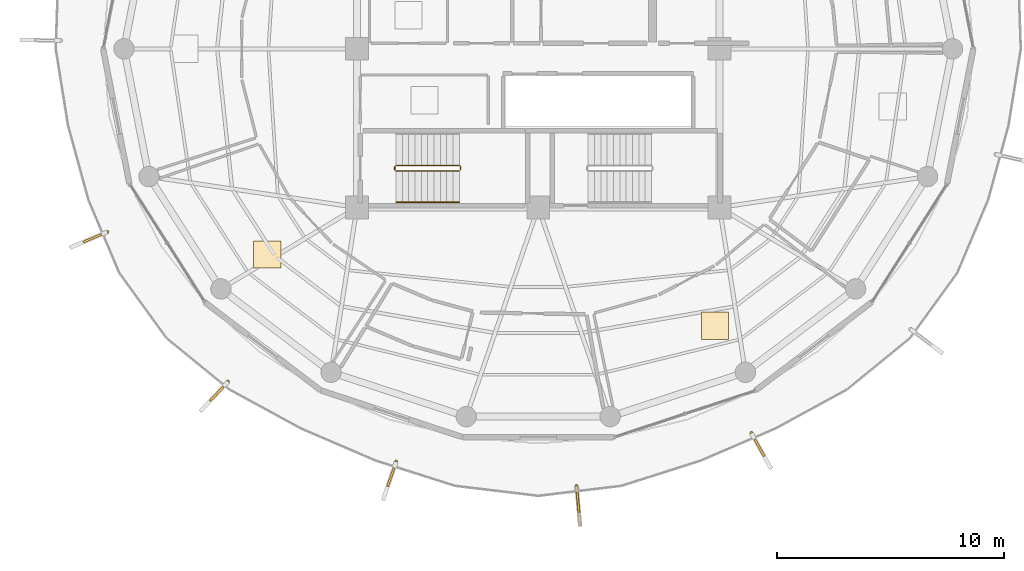
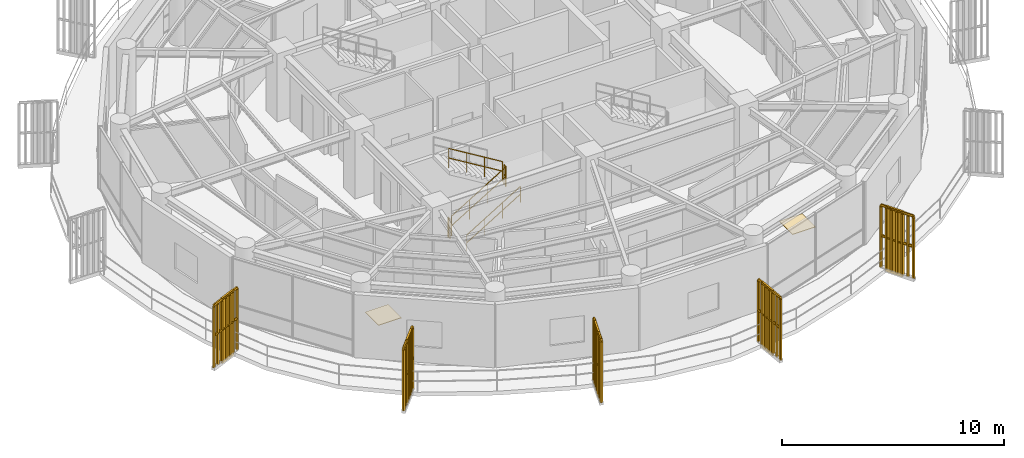
# One storey, part 21 of 24: 10 railings, 5 shading devices, 2 coverings.
"""IFC4 building model written with IfcOpenShell, lengths in metres."""

from ifc_helpers import new_model, si_unit, direction, frame, origin, origin_2d, place, context, subcontext, project, spatial, polyline, rectangle, outline, extrude, source, transform, mapped, material, layer, layer_set, type_object, element, save


model = new_model("IFC4")

# Units and contexts
model_context = context("Model", 3, precision=1e-05, world=origin(), true_north=direction((0.0, 1.0)))
body_context = subcontext(model_context, "Body", "Model", "MODEL_VIEW")
ifc_project = project(units=[si_unit("LENGTHUNIT", "METRE"), si_unit("AREAUNIT", "SQUARE_METRE"), si_unit("VOLUMEUNIT", "CUBIC_METRE"), si_unit("PLANEANGLEUNIT", "RADIAN"), si_unit("MASSUNIT", "GRAM", prefix="KILO")], contexts=[model_context])

# Site, building, storey
site_placement = place(None, origin())
site = spatial("IfcSite", under=ifc_project, at=site_placement, CompositionType="ELEMENT")
building_placement = place(site_placement, origin())
building = spatial("IfcBuilding", under=site, at=building_placement, Name="Kelanora Arch Commons", CompositionType="ELEMENT")
storey_placement = place(building_placement, frame((0.0, 0.0, 248.699951171875)))
storey = spatial("IfcBuildingStorey", under=building, at=storey_placement, Name="L63", CompositionType="ELEMENT", Elevation=248.699951171875)

# Railings
ifc_material_1 = material(Name="Anodised bronze vertical shading fin rib assembly")
railing_type_1 = type_object("IfcRailingType", Name="RAIL-FIN-BRZ", PredefinedType="BALUSTRADE", material=ifc_material_1)
railing_1_placement = place(storey_placement, frame((54.9873046875, 49.923583984375, -0.02001953125)))
element("IfcRailing", 1, at=railing_1_placement, inside=storey, type_object=railing_type_1, Name="Sweeping Bronze Vertical Fin Blade L63-10", PredefinedType="BALUSTRADE", context=body_context, shape_type="SweptSolid", body=[
    extrude(outline(polyline([(0.06982421875, 0.0), (0.034912109375, 0.060546875), (-0.034912109375, 0.060546875), (-0.06982421875, 0.0), (-0.034912109375, -0.060546875), (0.034912109375, -0.060546875), (0.06982421875, 0.0)])), frame((0.0, 0.0, 3.419921875), z_axis=(-0.920424876391, -0.390919489053, 0.0), x_axis=(0.390919489053, -0.920424876391, 0.0)), (0.0, 0.0, 1.0), 1.72998046875),
    extrude(outline(polyline([(0.06982421875, 0.0), (0.034912109375, 0.060546875), (-0.034912109375, 0.060546875), (-0.06982421875, 0.0), (-0.034912109375, -0.060546875), (0.034912109375, -0.060546875), (0.06982421875, 0.0)])), frame((0.0, 0.0, 1.7451171875), z_axis=(-0.920424876391, -0.390919489053, 0.0), x_axis=(0.390919489053, -0.920424876391, 0.0)), (0.0, 0.0, 1.0), 1.72998046875),
    extrude(outline(polyline([(0.080078125, 0.0), (0.0400390625, 0.0693359375), (-0.0400390625, 0.0693359375), (-0.080078125, 0.0), (-0.0400390625, -0.0693359375), (0.0400390625, -0.0693359375), (0.080078125, 0.0)])), origin(), (0.0, 0.0, 1.0), 3.35009765625),
    extrude(outline(polyline([(0.080078125, 0.0), (0.0400390625, 0.0693359375), (-0.0400390625, 0.0693359375), (-0.080078125, 0.0), (-0.0400390625, -0.0693359375), (0.0400390625, -0.0693359375), (0.080078125, 0.0)])), frame((-0.265380859375, -0.11279296875, 0.0)), (0.0, 0.0, 1.0), 3.35009765625),
    extrude(outline(polyline([(0.080078125, 0.0), (0.0400390625, 0.0693359375), (-0.0400390625, 0.0693359375), (-0.080078125, 0.0), (-0.0400390625, -0.0693359375), (0.0400390625, -0.0693359375), (0.080078125, 0.0)])), frame((-0.53076171875, -0.225341796875, 0.0)), (0.0, 0.0, 1.0), 3.35009765625),
    extrude(outline(polyline([(0.080078125, 0.0), (0.0400390625, 0.0693359375), (-0.0400390625, 0.0693359375), (-0.080078125, 0.0), (-0.0400390625, -0.0693359375), (0.0400390625, -0.0693359375), (0.080078125, 0.0)])), frame((-0.796142578125, -0.338134765625, 0.0)), (0.0, 0.0, 1.0), 3.35009765625),
    extrude(outline(polyline([(0.080078125, 0.0), (0.0400390625, 0.0693359375), (-0.0400390625, 0.0693359375), (-0.080078125, 0.0), (-0.0400390625, -0.0693359375), (0.0400390625, -0.0693359375), (0.080078125, 0.0)])), frame((-1.0615234375, -0.450927734375, 0.0)), (0.0, 0.0, 1.0), 3.35009765625),
    extrude(outline(polyline([(0.080078125, 0.0), (0.0400390625, 0.0693359375), (-0.0400390625, 0.0693359375), (-0.080078125, 0.0), (-0.0400390625, -0.0693359375), (0.0400390625, -0.0693359375), (0.080078125, 0.0)])), frame((-1.326904296875, -0.5634765625, 0.0)), (0.0, 0.0, 1.0), 3.35009765625),
    extrude(outline(polyline([(0.080078125, 0.0), (0.0400390625, 0.0693359375), (-0.0400390625, 0.0693359375), (-0.080078125, 0.0), (-0.0400390625, -0.0693359375), (0.0400390625, -0.0693359375), (0.080078125, 0.0)])), frame((-1.59228515625, -0.67626953125, 0.0)), (0.0, 0.0, 1.0), 3.35009765625),
])
railing_2_placement = place(storey_placement, frame((60.3076171875, 43.30908203125, -0.02001953125)))
element("IfcRailing", 2, at=railing_2_placement, inside=storey, type_object=railing_type_1, Name="Sweeping Bronze Vertical Fin Blade L63-11", PredefinedType="BALUSTRADE", context=body_context, shape_type="SweptSolid", body=[
    extrude(outline(polyline([(0.06982421875, 0.0), (0.034912109375, 0.060546875), (-0.034912109375, 0.060546875), (-0.06982421875, 0.0), (-0.034912109375, -0.060546875), (0.034912109375, -0.060546875), (0.06982421875, 0.0)])), frame((0.0, 0.0, 3.419921875), z_axis=(-0.681835450836, -0.731505583016, 0.0), x_axis=(0.731505583016, -0.681835450836, 0.0)), (0.0, 0.0, 1.0), 1.730224609375),
    extrude(outline(polyline([(0.06982421875, 0.0), (0.034912109375, 0.060546875), (-0.034912109375, 0.060546875), (-0.06982421875, 0.0), (-0.034912109375, -0.060546875), (0.034912109375, -0.060546875), (0.06982421875, 0.0)])), frame((0.0, 0.0, 1.7451171875), z_axis=(-0.681835450836, -0.731505583016, 0.0), x_axis=(0.731505583016, -0.681835450836, 0.0)), (0.0, 0.0, 1.0), 1.730224609375),
    extrude(outline(polyline([(0.080078125, 0.0), (0.0400390625, 0.0693359375), (-0.0400390625, 0.0693359375), (-0.080078125, 0.0), (-0.0400390625, -0.0693359375), (0.0400390625, -0.0693359375), (0.080078125, 0.0)])), origin(), (0.0, 0.0, 1.0), 3.35009765625),
    extrude(outline(polyline([(0.080078125, 0.0), (0.0400390625, 0.0693359375), (-0.0400390625, 0.0693359375), (-0.080078125, 0.0), (-0.0400390625, -0.0693359375), (0.0400390625, -0.0693359375), (0.080078125, 0.0)])), frame((-0.196533203125, -0.2109375, 0.0)), (0.0, 0.0, 1.0), 3.35009765625),
    extrude(outline(polyline([(0.080078125, 0.0), (0.0400390625, 0.0693359375), (-0.0400390625, 0.0693359375), (-0.080078125, 0.0), (-0.0400390625, -0.0693359375), (0.0400390625, -0.0693359375), (0.080078125, 0.0)])), frame((-0.393310546875, -0.421875, 0.0)), (0.0, 0.0, 1.0), 3.35009765625),
    extrude(outline(polyline([(0.080078125, 0.0), (0.0400390625, 0.0693359375), (-0.0400390625, 0.0693359375), (-0.080078125, 0.0), (-0.0400390625, -0.0693359375), (0.0400390625, -0.0693359375), (0.080078125, 0.0)])), frame((-0.58984375, -0.6328125, 0.0)), (0.0, 0.0, 1.0), 3.35009765625),
    extrude(outline(polyline([(0.080078125, 0.0), (0.0400390625, 0.0693359375), (-0.0400390625, 0.0693359375), (-0.080078125, 0.0), (-0.0400390625, -0.0693359375), (0.0400390625, -0.0693359375), (0.080078125, 0.0)])), frame((-0.786376953125, -0.84375, 0.0)), (0.0, 0.0, 1.0), 3.35009765625),
    extrude(outline(polyline([(0.080078125, 0.0), (0.0400390625, 0.0693359375), (-0.0400390625, 0.0693359375), (-0.080078125, 0.0), (-0.0400390625, -0.0693359375), (0.0400390625, -0.0693359375), (0.080078125, 0.0)])), frame((-0.983154296875, -1.0546875, 0.0)), (0.0, 0.0, 1.0), 3.35009765625),
    extrude(outline(polyline([(0.080078125, 0.0), (0.0400390625, 0.0693359375), (-0.0400390625, 0.0693359375), (-0.080078125, 0.0), (-0.0400390625, -0.0693359375), (0.0400390625, -0.0693359375), (0.080078125, 0.0)])), frame((-1.1796875, -1.265625, 0.0)), (0.0, 0.0, 1.0), 3.35009765625),
])
railing_3_placement = place(storey_placement, frame((67.73095703125, 39.777587890625, -0.02001953125)))
element("IfcRailing", 3, at=railing_3_placement, inside=storey, type_object=railing_type_1, Name="Sweeping Bronze Vertical Fin Blade L63-12", PredefinedType="BALUSTRADE", context=body_context, shape_type="SweptSolid", body=[
    extrude(outline(polyline([(0.06982421875, 0.0), (0.034912109375, 0.060546875), (-0.034912109375, 0.060546875), (-0.06982421875, 0.0), (-0.034912109375, -0.060546875), (0.034912109375, -0.060546875), (0.06982421875, 0.0)])), frame((0.0, 0.0, 3.419921875), z_axis=(-0.325316421568, -0.945605216704, 0.0), x_axis=(0.945605216704, -0.325316421568, 0.0)), (0.0, 0.0, 1.0), 1.729736328125),
    extrude(outline(polyline([(0.06982421875, 0.0), (0.034912109375, 0.060546875), (-0.034912109375, 0.060546875), (-0.06982421875, 0.0), (-0.034912109375, -0.060546875), (0.034912109375, -0.060546875), (0.06982421875, 0.0)])), frame((0.0, 0.0, 1.7451171875), z_axis=(-0.325316421568, -0.945605216704, 0.0), x_axis=(0.945605216704, -0.325316421568, 0.0)), (0.0, 0.0, 1.0), 1.729736328125),
    extrude(outline(polyline([(0.080078125, 0.0), (0.0400390625, 0.0693359375), (-0.0400390625, 0.0693359375), (-0.080078125, 0.0), (-0.0400390625, -0.0693359375), (0.0400390625, -0.0693359375), (0.080078125, 0.0)])), origin(), (0.0, 0.0, 1.0), 3.35009765625),
    extrude(outline(polyline([(0.080078125, 0.0), (0.0400390625, 0.0693359375), (-0.0400390625, 0.0693359375), (-0.080078125, 0.0), (-0.0400390625, -0.0693359375), (0.0400390625, -0.0693359375), (0.080078125, 0.0)])), frame((-0.09375, -0.272705078125, 0.0)), (0.0, 0.0, 1.0), 3.35009765625),
    extrude(outline(polyline([(0.080078125, 0.0), (0.0400390625, 0.0693359375), (-0.0400390625, 0.0693359375), (-0.080078125, 0.0), (-0.0400390625, -0.0693359375), (0.0400390625, -0.0693359375), (0.080078125, 0.0)])), frame((-0.1875, -0.545166015625, 0.0)), (0.0, 0.0, 1.0), 3.35009765625),
    extrude(outline(polyline([(0.080078125, 0.0), (0.0400390625, 0.0693359375), (-0.0400390625, 0.0693359375), (-0.080078125, 0.0), (-0.0400390625, -0.0693359375), (0.0400390625, -0.0693359375), (0.080078125, 0.0)])), frame((-0.28125, -0.81787109375, 0.0)), (0.0, 0.0, 1.0), 3.35009765625),
    extrude(outline(polyline([(0.080078125, 0.0), (0.0400390625, 0.0693359375), (-0.0400390625, 0.0693359375), (-0.080078125, 0.0), (-0.0400390625, -0.0693359375), (0.0400390625, -0.0693359375), (0.080078125, 0.0)])), frame((-0.375244140625, -1.090576171875, 0.0)), (0.0, 0.0, 1.0), 3.35009765625),
    extrude(outline(polyline([(0.080078125, 0.0), (0.0400390625, 0.0693359375), (-0.0400390625, 0.0693359375), (-0.080078125, 0.0), (-0.0400390625, -0.0693359375), (0.0400390625, -0.0693359375), (0.080078125, 0.0)])), frame((-0.468994140625, -1.363037109375, 0.0)), (0.0, 0.0, 1.0), 3.35009765625),
    extrude(outline(polyline([(0.080078125, 0.0), (0.0400390625, 0.0693359375), (-0.0400390625, 0.0693359375), (-0.080078125, 0.0), (-0.0400390625, -0.0693359375), (0.0400390625, -0.0693359375), (0.080078125, 0.0)])), frame((-0.562744140625, -1.6357421875, 0.0)), (0.0, 0.0, 1.0), 3.35009765625),
])
railing_4_placement = place(storey_placement, frame((75.693115234375, 38.705810546875, -0.02001953125)))
element("IfcRailing", 4, at=railing_4_placement, inside=storey, type_object=railing_type_1, Name="Sweeping Bronze Vertical Fin Blade L63-13", PredefinedType="BALUSTRADE", context=body_context, shape_type="SweptSolid", body=[
    extrude(outline(polyline([(0.06982421875, 0.0), (0.034912109375, 0.060546875), (-0.034912109375, 0.060546875), (-0.06982421875, 0.0), (-0.034912109375, -0.060546875), (0.034912109375, -0.060546875), (0.06982421875, 0.0)])), frame((0.0, 0.0, 3.419921875), z_axis=(0.087494306864, -0.996165019596, 0.0), x_axis=(0.996165019596, 0.087494306864, 0.0)), (0.0, 0.0, 1.0), 1.72998046875),
    extrude(outline(polyline([(0.06982421875, 0.0), (0.034912109375, 0.060546875), (-0.034912109375, 0.060546875), (-0.06982421875, 0.0), (-0.034912109375, -0.060546875), (0.034912109375, -0.060546875), (0.06982421875, 0.0)])), frame((0.0, 0.0, 1.7451171875), z_axis=(0.087494306864, -0.996165019596, 0.0), x_axis=(0.996165019596, 0.087494306864, 0.0)), (0.0, 0.0, 1.0), 1.72998046875),
    extrude(outline(polyline([(0.080078125, 0.0), (0.0400390625, 0.0693359375), (-0.0400390625, 0.0693359375), (-0.080078125, 0.0), (-0.0400390625, -0.0693359375), (0.0400390625, -0.0693359375), (0.080078125, 0.0)])), origin(), (0.0, 0.0, 1.0), 3.35009765625),
    extrude(outline(polyline([(0.080078125, 0.0), (0.0400390625, 0.0693359375), (-0.0400390625, 0.0693359375), (-0.080078125, 0.0), (-0.0400390625, -0.0693359375), (0.0400390625, -0.0693359375), (0.080078125, 0.0)])), frame((0.025146484375, -0.287109375, 0.0)), (0.0, 0.0, 1.0), 3.35009765625),
    extrude(outline(polyline([(0.080078125, 0.0), (0.0400390625, 0.0693359375), (-0.0400390625, 0.0693359375), (-0.080078125, 0.0), (-0.0400390625, -0.0693359375), (0.0400390625, -0.0693359375), (0.080078125, 0.0)])), frame((0.050537109375, -0.574462890625, 0.0)), (0.0, 0.0, 1.0), 3.35009765625),
    extrude(outline(polyline([(0.080078125, 0.0), (0.0400390625, 0.0693359375), (-0.0400390625, 0.0693359375), (-0.080078125, 0.0), (-0.0400390625, -0.0693359375), (0.0400390625, -0.0693359375), (0.080078125, 0.0)])), frame((0.07568359375, -0.86181640625, 0.0)), (0.0, 0.0, 1.0), 3.35009765625),
    extrude(outline(polyline([(0.080078125, 0.0), (0.0400390625, 0.0693359375), (-0.0400390625, 0.0693359375), (-0.080078125, 0.0), (-0.0400390625, -0.0693359375), (0.0400390625, -0.0693359375), (0.080078125, 0.0)])), frame((0.100830078125, -1.14892578125, 0.0)), (0.0, 0.0, 1.0), 3.35009765625),
    extrude(outline(polyline([(0.080078125, 0.0), (0.0400390625, 0.0693359375), (-0.0400390625, 0.0693359375), (-0.080078125, 0.0), (-0.0400390625, -0.0693359375), (0.0400390625, -0.0693359375), (0.080078125, 0.0)])), frame((0.126220703125, -1.43603515625, 0.0)), (0.0, 0.0, 1.0), 3.35009765625),
    extrude(outline(polyline([(0.080078125, 0.0), (0.0400390625, 0.0693359375), (-0.0400390625, 0.0693359375), (-0.080078125, 0.0), (-0.0400390625, -0.0693359375), (0.0400390625, -0.0693359375), (0.080078125, 0.0)])), frame((0.1513671875, -1.723388671875, 0.0)), (0.0, 0.0, 1.0), 3.35009765625),
])
railing_5_placement = place(storey_placement, frame((83.40966796875, 41.034912109375, -0.02001953125)))
element("IfcRailing", 5, at=railing_5_placement, inside=storey, type_object=railing_type_1, Name="Sweeping Bronze Vertical Fin Blade L63-14", PredefinedType="BALUSTRADE", context=body_context, shape_type="SweptSolid", body=[
    extrude(outline(polyline([(0.06982421875, 0.0), (0.034912109375, 0.060546875), (-0.034912109375, 0.060546875), (-0.06982421875, 0.0), (-0.034912109375, -0.060546875), (0.034912109375, -0.060546875), (0.06982421875, 0.0)])), frame((0.0, 0.0, 3.419921875), z_axis=(0.485079623437, -0.874469987436, 0.0), x_axis=(0.874469987436, 0.485079623437, 0.0)), (0.0, 0.0, 1.0), 1.729736328125),
    extrude(outline(polyline([(0.06982421875, 0.0), (0.034912109375, 0.060546875), (-0.034912109375, 0.060546875), (-0.06982421875, 0.0), (-0.034912109375, -0.060546875), (0.034912109375, -0.060546875), (0.06982421875, 0.0)])), frame((0.0, 0.0, 1.7451171875), z_axis=(0.485079623437, -0.874469987436, 0.0), x_axis=(0.874469987436, 0.485079623437, 0.0)), (0.0, 0.0, 1.0), 1.729736328125),
    extrude(outline(polyline([(0.080078125, 0.0), (0.0400390625, 0.0693359375), (-0.0400390625, 0.0693359375), (-0.080078125, 0.0), (-0.0400390625, -0.0693359375), (0.0400390625, -0.0693359375), (0.080078125, 0.0)])), origin(), (0.0, 0.0, 1.0), 3.35009765625),
    extrude(outline(polyline([(0.080078125, 0.0), (0.0400390625, 0.0693359375), (-0.0400390625, 0.0693359375), (-0.080078125, 0.0), (-0.0400390625, -0.0693359375), (0.0400390625, -0.0693359375), (0.080078125, 0.0)])), frame((0.139892578125, -0.252197265625, 0.0)), (0.0, 0.0, 1.0), 3.35009765625),
    extrude(outline(polyline([(0.080078125, 0.0), (0.0400390625, 0.0693359375), (-0.0400390625, 0.0693359375), (-0.080078125, 0.0), (-0.0400390625, -0.0693359375), (0.0400390625, -0.0693359375), (0.080078125, 0.0)])), frame((0.27978515625, -0.504150390625, 0.0)), (0.0, 0.0, 1.0), 3.35009765625),
    extrude(outline(polyline([(0.080078125, 0.0), (0.0400390625, 0.0693359375), (-0.0400390625, 0.0693359375), (-0.080078125, 0.0), (-0.0400390625, -0.0693359375), (0.0400390625, -0.0693359375), (0.080078125, 0.0)])), frame((0.41943359375, -0.75634765625, 0.0)), (0.0, 0.0, 1.0), 3.35009765625),
    extrude(outline(polyline([(0.080078125, 0.0), (0.0400390625, 0.0693359375), (-0.0400390625, 0.0693359375), (-0.080078125, 0.0), (-0.0400390625, -0.0693359375), (0.0400390625, -0.0693359375), (0.080078125, 0.0)])), frame((0.559326171875, -1.008544921875, 0.0)), (0.0, 0.0, 1.0), 3.35009765625),
    extrude(outline(polyline([(0.080078125, 0.0), (0.0400390625, 0.0693359375), (-0.0400390625, 0.0693359375), (-0.080078125, 0.0), (-0.0400390625, -0.0693359375), (0.0400390625, -0.0693359375), (0.080078125, 0.0)])), frame((0.69921875, -1.260498046875, 0.0)), (0.0, 0.0, 1.0), 3.35009765625),
    extrude(outline(polyline([(0.080078125, 0.0), (0.0400390625, 0.0693359375), (-0.0400390625, 0.0693359375), (-0.080078125, 0.0), (-0.0400390625, -0.0693359375), (0.0400390625, -0.0693359375), (0.080078125, 0.0)])), frame((0.839111328125, -1.5126953125, 0.0)), (0.0, 0.0, 1.0), 3.35009765625),
])
ifc_material_2 = material(Name="Painted steel stair well guard", Category="steel")
railing_type_2 = type_object("IfcRailingType", Name="RAIL-STAIR-GRD", PredefinedType="GUARDRAIL", material=ifc_material_2)
railing_6_placement = place(storey_placement, frame((67.719970703125, 52.610107421875, 0.17041015625)))
element("IfcRailing", 6, at=railing_6_placement, inside=storey, type_object=railing_type_2, Name="L63 ST-T3 stair guard 1", PredefinedType="GUARDRAIL", context=body_context, shape_type="SweptSolid", body=[
    extrude(outline(polyline([(0.02392578125, 0.0), (0.011962890625, 0.020751953125), (-0.011962890625, 0.020751953125), (-0.02392578125, 0.0), (-0.011962890625, -0.020751953125), (0.011962890625, -0.020751953125), (0.02392578125, 0.0)])), frame((0.0, 0.0, 1.076171875), z_axis=(0.854169791009, 0.0, 0.51999420009), x_axis=(0.0, 1.0, 0.0)), (0.0, 0.0, 1.0), 3.278076171875),
    extrude(outline(polyline([(0.02392578125, 0.0), (0.011962890625, 0.020751953125), (-0.011962890625, 0.020751953125), (-0.02392578125, 0.0), (-0.011962890625, -0.020751953125), (0.011962890625, -0.020751953125), (0.02392578125, 0.0)])), frame((0.0, 0.0, 0.550048828125), z_axis=(0.854169791009, 0.0, 0.51999420009), x_axis=(0.0, 1.0, 0.0)), (0.0, 0.0, 1.0), 3.278076171875),
    extrude(outline(polyline([(0.02099609375, 0.0), (0.010498046875, 0.01806640625), (-0.010498046875, 0.01806640625), (-0.02099609375, 0.0), (-0.010498046875, -0.01806640625), (0.010498046875, -0.01806640625), (0.02099609375, 0.0)])), origin(), (0.0, 0.0, 1.0), 1.052001953125),
    extrude(outline(polyline([(0.02099609375, 0.0), (0.010498046875, 0.01806640625), (-0.010498046875, 0.01806640625), (-0.02099609375, 0.0), (-0.010498046875, -0.01806640625), (0.010498046875, -0.01806640625), (0.02099609375, 0.0)])), frame((0.933349609375, 0.0, 0.568115234375)), (0.0, 0.0, 1.0), 1.052001953125),
    extrude(outline(polyline([(0.02099609375, 0.0), (0.010498046875, 0.01806640625), (-0.010498046875, 0.01806640625), (-0.02099609375, 0.0), (-0.010498046875, -0.01806640625), (0.010498046875, -0.01806640625), (0.02099609375, 0.0)])), frame((1.86669921875, 0.0, 1.136474609375)), (0.0, 0.0, 1.0), 1.052001953125),
    extrude(outline(polyline([(0.02099609375, 0.0), (0.010498046875, 0.01806640625), (-0.010498046875, 0.01806640625), (-0.02099609375, 0.0), (-0.010498046875, -0.01806640625), (0.010498046875, -0.01806640625), (0.02099609375, 0.0)])), frame((2.800048828125, 0.0, 1.70458984375)), (0.0, 0.0, 1.0), 1.052001953125),
])
railing_7_placement = place(storey_placement, frame((70.570068359375, 52.659912109375, 1.875)))
element("IfcRailing", 7, at=railing_7_placement, inside=storey, type_object=railing_type_2, Name="L63 ST-T3 stair guard 2", PredefinedType="GUARDRAIL", context=body_context, shape_type="SweptSolid", body=[
    extrude(outline(polyline([(0.02392578125, 0.0), (0.011962890625, 0.020751953125), (-0.011962890625, 0.020751953125), (-0.02392578125, 0.0), (-0.011962890625, -0.020751953125), (0.011962890625, -0.020751953125), (0.02392578125, 0.0)])), frame((0.0, 0.0, 1.076171875), z_axis=(0.0, 1.0, 0.0), x_axis=(-1.0, 0.0, 0.0)), (0.0, 0.0, 1.0), 0.150146484375),
    extrude(outline(polyline([(0.02392578125, 0.0), (0.011962890625, 0.020751953125), (-0.011962890625, 0.020751953125), (-0.02392578125, 0.0), (-0.011962890625, -0.020751953125), (0.011962890625, -0.020751953125), (0.02392578125, 0.0)])), frame((0.0, 0.0, 0.550048828125), z_axis=(0.0, 1.0, 0.0), x_axis=(-1.0, 0.0, 0.0)), (0.0, 0.0, 1.0), 0.150146484375),
    extrude(outline(polyline([(0.02099609375, 0.0), (0.010498046875, 0.01806640625), (-0.010498046875, 0.01806640625), (-0.02099609375, 0.0), (-0.010498046875, -0.01806640625), (0.010498046875, -0.01806640625), (0.02099609375, 0.0)])), origin(), (0.0, 0.0, 1.0), 1.052001953125),
    extrude(outline(polyline([(0.02099609375, 0.0), (0.010498046875, 0.01806640625), (-0.010498046875, 0.01806640625), (-0.02099609375, 0.0), (-0.010498046875, -0.01806640625), (0.010498046875, -0.01806640625), (0.02099609375, 0.0)])), frame((0.0, 0.150146484375, 0.0)), (0.0, 0.0, 1.0), 1.052001953125),
])
railing_8_placement = place(storey_placement, frame((70.52001953125, 52.860107421875, 2.04541015625)))
element("IfcRailing", 8, at=railing_8_placement, inside=storey, type_object=railing_type_2, Name="L63 ST-T3 stair guard 3", PredefinedType="GUARDRAIL", context=body_context, shape_type="SweptSolid", body=[
    extrude(outline(polyline([(0.02392578125, 0.0), (0.011962890625, 0.020751953125), (-0.011962890625, 0.020751953125), (-0.02392578125, 0.0), (-0.011962890625, -0.020751953125), (0.011962890625, -0.020751953125), (0.02392578125, 0.0)])), frame((0.0, 0.0, 1.076171875), z_axis=(-0.854169791009, 0.0, 0.51999420009), x_axis=(0.0, -1.0, 0.0)), (0.0, 0.0, 1.0), 3.278076171875),
    extrude(outline(polyline([(0.02392578125, 0.0), (0.011962890625, 0.020751953125), (-0.011962890625, 0.020751953125), (-0.02392578125, 0.0), (-0.011962890625, -0.020751953125), (0.011962890625, -0.020751953125), (0.02392578125, 0.0)])), frame((0.0, 0.0, 0.550048828125), z_axis=(-0.854169791009, 0.0, 0.51999420009), x_axis=(0.0, -1.0, 0.0)), (0.0, 0.0, 1.0), 3.278076171875),
    extrude(outline(polyline([(0.02099609375, 0.0), (0.010498046875, 0.01806640625), (-0.010498046875, 0.01806640625), (-0.02099609375, 0.0), (-0.010498046875, -0.01806640625), (0.010498046875, -0.01806640625), (0.02099609375, 0.0)])), origin(), (0.0, 0.0, 1.0), 1.052001953125),
    extrude(outline(polyline([(0.02099609375, 0.0), (0.010498046875, 0.01806640625), (-0.010498046875, 0.01806640625), (-0.02099609375, 0.0), (-0.010498046875, -0.01806640625), (0.010498046875, -0.01806640625), (0.02099609375, 0.0)])), frame((-0.933349609375, 0.0, 0.568115234375)), (0.0, 0.0, 1.0), 1.052001953125),
    extrude(outline(polyline([(0.02099609375, 0.0), (0.010498046875, 0.01806640625), (-0.010498046875, 0.01806640625), (-0.02099609375, 0.0), (-0.010498046875, -0.01806640625), (0.010498046875, -0.01806640625), (0.02099609375, 0.0)])), frame((-1.86669921875, 0.0, 1.136474609375)), (0.0, 0.0, 1.0), 1.052001953125),
    extrude(outline(polyline([(0.02099609375, 0.0), (0.010498046875, 0.01806640625), (-0.010498046875, 0.01806640625), (-0.02099609375, 0.0), (-0.010498046875, -0.01806640625), (0.010498046875, -0.01806640625), (0.02099609375, 0.0)])), frame((-2.800048828125, 0.0, 1.70458984375)), (0.0, 0.0, 1.0), 1.052001953125),
])
railing_9_placement = place(storey_placement, frame((67.669921875, 52.659912109375, 0.0)))
element("IfcRailing", 9, at=railing_9_placement, inside=storey, type_object=railing_type_2, Name="L63 ST-T3 stair guard 4", PredefinedType="GUARDRAIL", context=body_context, shape_type="SweptSolid", body=[
    extrude(outline(polyline([(0.02392578125, 0.0), (0.011962890625, 0.020751953125), (-0.011962890625, 0.020751953125), (-0.02392578125, 0.0), (-0.011962890625, -0.020751953125), (0.011962890625, -0.020751953125), (0.02392578125, 0.0)])), frame((0.0, 0.0, 1.076171875), z_axis=(0.0, 1.0, 0.0), x_axis=(-1.0, 0.0, 0.0)), (0.0, 0.0, 1.0), 0.150146484375),
    extrude(outline(polyline([(0.02392578125, 0.0), (0.011962890625, 0.020751953125), (-0.011962890625, 0.020751953125), (-0.02392578125, 0.0), (-0.011962890625, -0.020751953125), (0.011962890625, -0.020751953125), (0.02392578125, 0.0)])), frame((0.0, 0.0, 0.550048828125), z_axis=(0.0, 1.0, 0.0), x_axis=(-1.0, 0.0, 0.0)), (0.0, 0.0, 1.0), 0.150146484375),
    extrude(outline(polyline([(0.02099609375, 0.0), (0.010498046875, 0.01806640625), (-0.010498046875, 0.01806640625), (-0.02099609375, 0.0), (-0.010498046875, -0.01806640625), (0.010498046875, -0.01806640625), (0.02099609375, 0.0)])), origin(), (0.0, 0.0, 1.0), 1.052001953125),
    extrude(outline(polyline([(0.02099609375, 0.0), (0.010498046875, 0.01806640625), (-0.010498046875, 0.01806640625), (-0.02099609375, 0.0), (-0.010498046875, -0.01806640625), (0.010498046875, -0.01806640625), (0.02099609375, 0.0)])), frame((0.0, 0.150146484375, 0.0)), (0.0, 0.0, 1.0), 1.052001953125),
])
ifc_material_3 = material(Name="Brushed stainless steel stair handrail", Category="steel")
railing_type_3 = type_object("IfcRailingType", Name="RAIL-STAIR-HND", PredefinedType="HANDRAIL", material=ifc_material_3)
railing_10_placement = place(storey_placement, frame((67.719970703125, 51.22998046875, 0.17041015625)))
element("IfcRailing", 10, at=railing_10_placement, inside=storey, type_object=railing_type_3, Name="L63 ST-T3 stair handrail 1", PredefinedType="HANDRAIL", context=body_context, shape_type="SweptSolid", body=[
    extrude(outline(polyline([(0.02392578125, 0.0), (0.011962890625, 0.020751953125), (-0.011962890625, 0.020751953125), (-0.02392578125, 0.0), (-0.011962890625, -0.020751953125), (0.011962890625, -0.020751953125), (0.02392578125, 0.0)])), frame((0.0, 0.0, 0.8759765625), z_axis=(0.854169791009, 0.0, 0.51999420009), x_axis=(0.0, 1.0, 0.0)), (0.0, 0.0, 1.0), 3.278076171875),
    extrude(outline(polyline([(0.02392578125, 0.0), (0.011962890625, 0.020751953125), (-0.011962890625, 0.020751953125), (-0.02392578125, 0.0), (-0.011962890625, -0.020751953125), (0.011962890625, -0.020751953125), (0.02392578125, 0.0)])), frame((0.0, 0.0, 0.449951171875), z_axis=(0.854169791009, 0.0, 0.51999420009), x_axis=(0.0, 1.0, 0.0)), (0.0, 0.0, 1.0), 3.278076171875),
    extrude(outline(polyline([(0.02099609375, 0.0), (0.010498046875, 0.01806640625), (-0.010498046875, 0.01806640625), (-0.02099609375, 0.0), (-0.010498046875, -0.01806640625), (0.010498046875, -0.01806640625), (0.02099609375, 0.0)])), origin(), (0.0, 0.0, 1.0), 0.851806640625),
    extrude(outline(polyline([(0.02099609375, 0.0), (0.010498046875, 0.01806640625), (-0.010498046875, 0.01806640625), (-0.02099609375, 0.0), (-0.010498046875, -0.01806640625), (0.010498046875, -0.01806640625), (0.02099609375, 0.0)])), frame((0.933349609375, 0.0, 0.568115234375)), (0.0, 0.0, 1.0), 0.851806640625),
    extrude(outline(polyline([(0.02099609375, 0.0), (0.010498046875, 0.01806640625), (-0.010498046875, 0.01806640625), (-0.02099609375, 0.0), (-0.010498046875, -0.01806640625), (0.010498046875, -0.01806640625), (0.02099609375, 0.0)])), frame((1.86669921875, 0.0, 1.136474609375)), (0.0, 0.0, 1.0), 0.851806640625),
    extrude(outline(polyline([(0.02099609375, 0.0), (0.010498046875, 0.01806640625), (-0.010498046875, 0.01806640625), (-0.02099609375, 0.0), (-0.010498046875, -0.01806640625), (0.010498046875, -0.01806640625), (0.02099609375, 0.0)])), frame((2.800048828125, 0.0, 1.70458984375)), (0.0, 0.0, 1.0), 0.851806640625),
])

# Shading devices
ifc_material_4 = material(Name="Terracotta ceramic-clad extruded aluminium fin", Category="masonry")
shading_device_type = type_object("IfcShadingDeviceType", Name="SHD-FIN-FLARE", PredefinedType="USERDEFINED", material=ifc_material_4)
shared_shape_1 = source(origin(), body_context, "Body", "SweptSolid", [
    extrude(rectangle(XDim=0.8798828125, YDim=0.090087890625, at=origin_2d()), origin(), (0.0, 0.0, 1.0), 3.610107421875),
])
for number, where, z_axis, x_axis, name in (
    (11, (54.32470703125, 49.64208984375, -0.14013671875), (0.0, 0.0, 1.0), (-0.920436643986, -0.390891780942, 0.0), "Sweeping Terracotta Fin L63-10"),
    (12, (59.816650390625, 42.7822265625, -0.14013671875), (0.0, 0.0, 1.0), (-0.681870704375, -0.731472721648, 0.0), "Sweeping Terracotta Fin L63-11"),
    (13, (67.49658203125, 39.096923828125, -0.14013671875), (0.0, 0.0, 1.0), (-0.325403125376, -0.94557538356, 0.0), "Sweeping Terracotta Fin L63-12"),
    (14, (75.756103515625, 37.98828125, -0.14013671875), (0.0, 0.0, 1.0), (0.087329610194, -0.996179471372, 0.0), "Sweeping Terracotta Fin L63-13"),
    (15, (83.7587890625, 40.405517578125, -0.14013671875), (0.0, 0.0, 1.0), (0.484962262797, -0.874535078577, 0.0), "Sweeping Terracotta Fin L63-14"),
):
    element("IfcShadingDevice", number, at=place(storey_placement, frame(where, z_axis=z_axis, x_axis=x_axis)), inside=storey, type_object=shading_device_type, Name=name, ObjectType="FIN", PredefinedType="USERDEFINED", context=body_context, shape_type="MappedRepresentation", body=[
        mapped(shared_shape_1, transform((0.0, 0.0, 0.0), scale=1.0)),
    ])

# Coverings
ifc_material_5 = material(Name="Polished local granite terrazzo flooring", Category="masonry")
ifc_layer = layer(ifc_material_5, 0.030029296875)
ifc_layer_set = layer_set([ifc_layer], Name="Polished local granite terrazzo flooring")
covering_type = type_object("IfcCoveringType", Name="COV-FLR-TER", PredefinedType="FLOORING", material=ifc_layer_set)
shared_shape_2 = source(origin(), body_context, "Body", "SweptSolid", [
    extrude(rectangle(XDim=1.199951171875, YDim=1.199951171875, at=origin_2d()), origin(), (0.0, 0.0, 1.0), 0.030029296875),
])
for number, where, z_axis, x_axis, name in (
    (16, (62.040771484375, 48.930419921875, 0.0), (0.0, 0.0, 1.0), (1.0, 0.0, 0.0), "Quiet Seminar Study Room L63-06 Terrazzo Finish"),
    (17, (81.8056640625, 45.780517578125, 0.0), (0.0, 0.0, 1.0), (1.0, 0.0, 0.0), "Communal Dining and Social Hall L63-08 Terrazzo Finish"),
):
    element("IfcCovering", number, at=place(storey_placement, frame(where, z_axis=z_axis, x_axis=x_axis)), inside=storey, type_object=covering_type, Name=name, PredefinedType="FLOORING", context=body_context, shape_type="MappedRepresentation", body=[
        mapped(shared_shape_2, transform((0.0, 0.0, 0.0), scale=1.0)),
    ])

save(model, "model.ifc")
